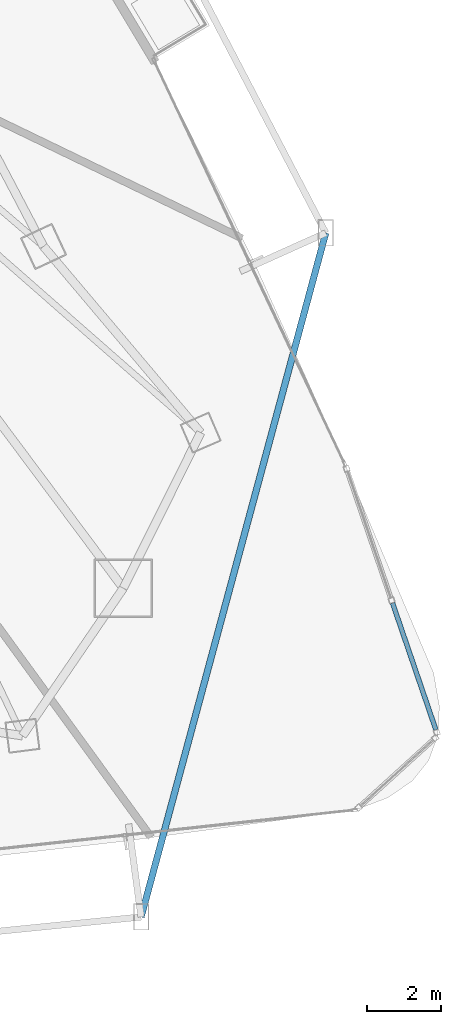
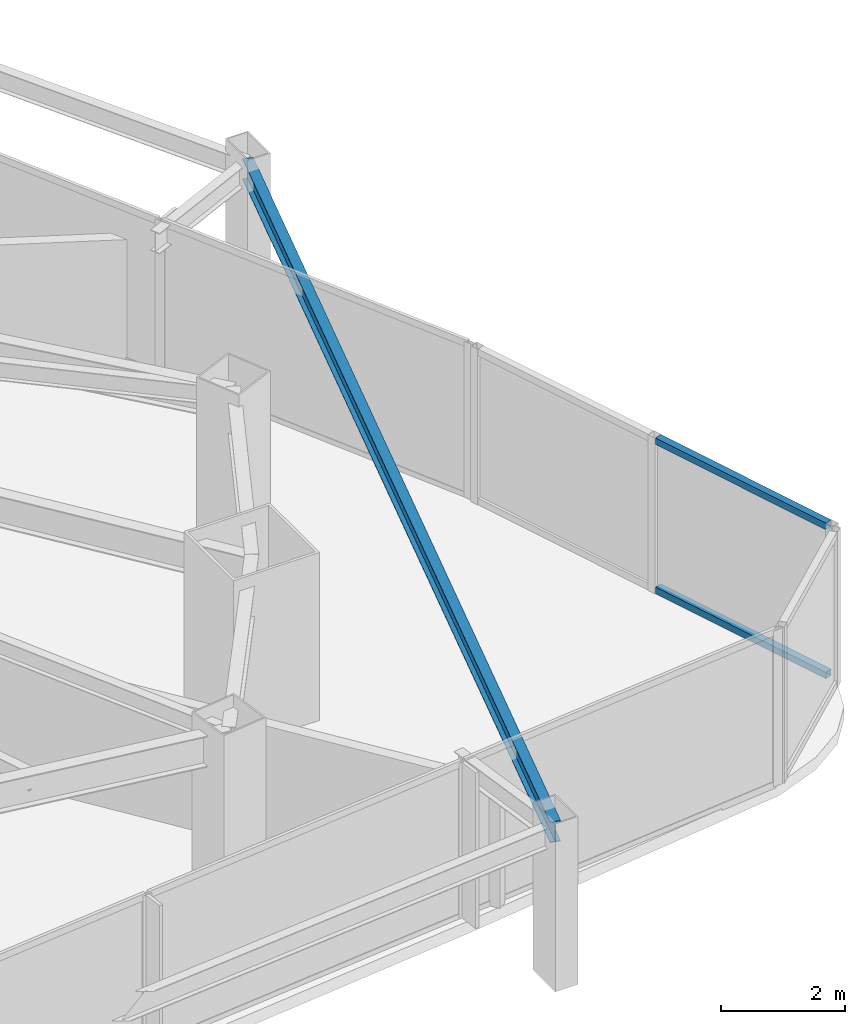
# One storey, part 16 of 33: 2 members, 1 beam, 1 element without a shape of its own.
"""IFC4 building model written with IfcOpenShell, lengths in metres."""

import ifcopenshell
import ifcopenshell.guid

model = None  # the IFC model being written
_history = None  # IfcOwnerHistory: only IFC2X3 demands one
_inside = {}  # id of a spatial element -> (the spatial element, [elements in it])
_under = {}  # id of a project, library or spatial element -> (it, [spatial elements below it])
_declared = {}  # id of a project -> (the project, [libraries it declares])
_typed = {}  # id of a type object -> (the type object, [elements of that type])
_made_of = {}  # id of a material, layer set ... -> (it, [elements and type objects made of it])


def new_model(schema):
    """Start an empty IFC model of exactly this schema.

    Asked for "IFC4X3", IfcOpenShell would pick the latest addendum, in which some entities
    have other attributes; the version numbers below select the first issue.
    IFC2X3 requires an IfcOwnerHistory on every rooted entity: one is made here for all.
    """
    global model, _history
    if schema == "IFC4X3":
        model = ifcopenshell.file(schema_version=(4, 3, 0, 0))
    else:
        model = ifcopenshell.file(schema=schema)
    _inside.clear()
    _under.clear()
    _declared.clear()
    _typed.clear()
    _made_of.clear()
    _history = None
    if model.schema == "IFC2X3":
        org = make("IfcOrganization", Name="unknown")
        user = make(
            "IfcPersonAndOrganization",
            ThePerson=make("IfcPerson", FamilyName="unknown"),
            TheOrganization=org,
        )
        app = make(
            "IfcApplication",
            ApplicationDeveloper=org,
            Version="unknown",
            ApplicationFullName="unknown",
            ApplicationIdentifier="unknown",
        )
        _history = make(
            "IfcOwnerHistory",
            OwningUser=user,
            OwningApplication=app,
            ChangeAction="ADDED",
            CreationDate=0,
        )
    return model


def make(cls, **values):
    """One entity of the class cls with the attributes given. An attribute that is None is left unset."""
    return model.create_entity(
        cls, **{name: value for name, value in values.items() if value is not None}
    )


def rooted(cls, **values):
    """An entity with a GlobalId (a new one), such as an element, a storey or a relation."""
    return make(cls, GlobalId=ifcopenshell.guid.new(), OwnerHistory=_history, **values)


def si_unit(unit_type, name, prefix=None):
    """IfcSIUnit, for example si_unit("LENGTHUNIT", "METRE", prefix="MILLI")."""
    return make("IfcSIUnit", UnitType=unit_type, Prefix=prefix, Name=name)


def assignment(units):
    """IfcUnitAssignment: the units of a project."""
    return None if units is None else make("IfcUnitAssignment", Units=units)


def point(xyz):
    """IfcCartesianPoint."""
    return None if xyz is None else make("IfcCartesianPoint", Coordinates=xyz)


def direction(xyz):
    """IfcDirection."""
    return None if xyz is None else make("IfcDirection", DirectionRatios=xyz)


def frame(location, z_axis=None, x_axis=None):
    """IfcAxis2Placement3D, a coordinate frame: its origin and axes. An axis left out is left unset."""
    return make(
        "IfcAxis2Placement3D",
        Location=point(location),
        Axis=direction(z_axis),
        RefDirection=direction(x_axis),
    )


def frame_2d(location, x_axis=None):
    """IfcAxis2Placement2D, a coordinate frame in the plane: its origin and x axis."""
    return make(
        "IfcAxis2Placement2D", Location=point(location), RefDirection=direction(x_axis)
    )


def origin():
    """The frame at (0, 0, 0) with its axes left unset."""
    return frame((0.0, 0.0, 0.0))


def origin_2d():
    """The frame at (0, 0) in the plane with its x axis left unset."""
    return frame_2d((0.0, 0.0))


def place(relative_to, where):
    """IfcLocalPlacement: puts the frame where relative to a parent placement (None: the world)."""
    return make(
        "IfcLocalPlacement", PlacementRelTo=relative_to, RelativePlacement=where
    )


def context(
    kind, dimensions, precision=None, world=None, true_north=None, identifier=None
):
    """IfcGeometricRepresentationContext, for example the 3D "Model" context."""
    return make(
        "IfcGeometricRepresentationContext",
        ContextIdentifier=identifier,
        ContextType=kind,
        CoordinateSpaceDimension=dimensions,
        Precision=precision,
        WorldCoordinateSystem=world,
        TrueNorth=true_north,
    )


def subcontext(parent, identifier, kind, view, scale=None):
    """IfcGeometricRepresentationSubContext, for example "Body" below "Model"."""
    return make(
        "IfcGeometricRepresentationSubContext",
        ContextIdentifier=identifier,
        ContextType=kind,
        ParentContext=parent,
        TargetScale=scale,
        TargetView=view,
    )


def project(units=None, contexts=None):
    """IfcProject with its units and contexts."""
    return rooted(
        "IfcProject",
        Name="project",
        RepresentationContexts=contexts,
        UnitsInContext=assignment(units),
    )


def spatial(cls, under=None, at=None, **own):
    """A site, building, storey or space (cls), placed at a placement, below another one or the project."""
    s = rooted(cls, ObjectPlacement=at, **own)
    if under is not None:
        _under.setdefault(under.id(), (under, []))[1].append(s)
    return s


def profile(cls, at=None, kind="AREA", **sizes):
    """A parametric profile (cls). Its sizes go by their IFC names, for example OverallWidth=200.0."""
    return make(cls, ProfileType=kind, Position=at, **sizes)


def hollow_rectangle(**sizes):
    """IfcRectangleHollowProfileDef."""
    return profile("IfcRectangleHollowProfileDef", **sizes)


def i_section(**sizes):
    """IfcIShapeProfileDef."""
    return profile("IfcIShapeProfileDef", **sizes)


def extrude(swept, where, along, depth):
    """IfcExtrudedAreaSolid: the profile swept, set in the frame where, extruded along a direction by depth."""
    return make(
        "IfcExtrudedAreaSolid",
        SweptArea=swept,
        Position=where,
        ExtrudedDirection=direction(along),
        Depth=depth,
    )


def shape(context_of_items, identifier, shape_type, items):
    """IfcShapeRepresentation: the items that make up one representation, for example the "Body"."""
    return make(
        "IfcShapeRepresentation",
        ContextOfItems=context_of_items,
        RepresentationIdentifier=identifier,
        RepresentationType=shape_type,
        Items=items,
    )


def material(Name=None, Category=None):
    """IfcMaterial."""
    return make("IfcMaterial", Name=Name, Category=Category)


def layer(
    of_material, thickness, ventilated=None, Name=None, Category=None, Priority=None
):
    """IfcMaterialLayer: one layer of a wall or slab, of a material (None: an air gap)."""
    return make(
        "IfcMaterialLayer",
        Material=of_material,
        LayerThickness=thickness,
        IsVentilated=ventilated,
        Name=Name,
        Category=Category,
        Priority=Priority,
    )


def layer_set(layers, Name=None):
    """IfcMaterialLayerSet."""
    return make("IfcMaterialLayerSet", MaterialLayers=layers, LayerSetName=Name)


def material_profile(
    of_material, cross_section, Name=None, Category=None, Priority=None
):
    """IfcMaterialProfile: a cross section and its material."""
    return make(
        "IfcMaterialProfile",
        Name=Name,
        Material=of_material,
        Profile=cross_section,
        Priority=Priority,
        Category=Category,
    )


def profile_set(profiles, Name=None, composite=None):
    """IfcMaterialProfileSet."""
    return make(
        "IfcMaterialProfileSet",
        Name=Name,
        MaterialProfiles=profiles,
        CompositeProfile=composite,
    )


def made_of(thing, what):
    """Note that an element or type object is made of a material, layer set ...; save() writes the relation."""
    if what is not None:
        _made_of.setdefault(what.id(), (what, []))[1].append(thing)
    return thing


def type_object(cls, material=None, **own):
    """A type object (cls), such as IfcWallType, which elements share."""
    return made_of(rooted(cls, **own), material)


def element(
    cls,
    number,
    at=None,
    inside=None,
    cuts=None,
    type_object=None,
    material=None,
    context=None,
    identifier="Body",
    shape_type=None,
    held_by="IfcProductDefinitionShape",
    body=None,
    shapes=None,
    **own,
):
    """One element of the class cls, such as IfcWall. Its Tag is "e" and its number.

    at: its placement. inside: the storey or other place that contains it. cuts: it is an
    opening in that element (IfcRelVoidsElement). A single representation is given by context,
    identifier, shape_type and body (its items); several are given by shapes. held_by: the class
    of the entity that holds the representations. save() writes the other relations.
    """
    e = rooted(cls, Tag="e%d" % number, ObjectPlacement=at, **own)
    if body is not None:
        shapes = [shape(context, identifier, shape_type, body)]
    if shapes is not None:
        e.Representation = make(held_by, Representations=shapes)
    if inside is not None:
        _inside.setdefault(inside.id(), (inside, []))[1].append(e)
    if cuts is not None:
        rooted(
            "IfcRelVoidsElement", RelatingBuildingElement=cuts, RelatedOpeningElement=e
        )
    if type_object is not None:
        _typed.setdefault(type_object.id(), (type_object, []))[1].append(e)
    return made_of(e, material)


def aggregate(whole, parts):
    """IfcRelAggregates: a whole, such as a stair, and the parts it consists of."""
    return rooted("IfcRelAggregates", RelatingObject=whole, RelatedObjects=parts)


def save(model, path):
    """Write the relations noted so far, then the file.

    IfcRelAggregates (storeys below a building ...), IfcRelContainedInSpatialStructure (elements
    in a storey), IfcRelDefinesByType, IfcRelAssociatesMaterial and IfcRelDeclares: one each for
    every whole, place, type object, material and project.
    """
    for whole, parts in _under.values():
        aggregate(whole, parts)
    for where, things in _inside.values():
        rooted(
            "IfcRelContainedInSpatialStructure",
            RelatedElements=things,
            RelatingStructure=where,
        )
    for kind, things in _typed.values():
        rooted("IfcRelDefinesByType", RelatedObjects=things, RelatingType=kind)
    for what, things in _made_of.values():
        rooted("IfcRelAssociatesMaterial", RelatedObjects=things, RelatingMaterial=what)
    for by, libraries in _declared.values():
        rooted("IfcRelDeclares", RelatingContext=by, RelatedDefinitions=libraries)
    model.write(path)


model = new_model("IFC4")

# Units and contexts
model_context = context("Model", 3, precision=1e-05, world=origin(), true_north=direction((0.0, 1.0)))
body_context = subcontext(model_context, "Body", "Model", "MODEL_VIEW")
ifc_project = project(units=[si_unit("LENGTHUNIT", "METRE"), si_unit("AREAUNIT", "SQUARE_METRE"), si_unit("VOLUMEUNIT", "CUBIC_METRE"), si_unit("PLANEANGLEUNIT", "RADIAN"), si_unit("MASSUNIT", "GRAM", prefix="KILO")], contexts=[model_context])

# Site, building, storey
site_placement = place(None, origin())
site = spatial("IfcSite", under=ifc_project, at=site_placement, CompositionType="ELEMENT")
building_placement = place(site_placement, origin())
building = spatial("IfcBuilding", under=site, at=building_placement, Name="Orvanel Arch Residences", CompositionType="ELEMENT")
storey_placement = place(building_placement, frame((0.0, 0.0, 84.050048828125)))
storey = spatial("IfcBuildingStorey", under=building, at=storey_placement, Name="L23", CompositionType="ELEMENT", Elevation=84.050048828125)

# Beam
ifc_material_1 = material(Name="Structural steel AS/NZS 3679.1 Grade 300 (300 MPa)", Category="steel")
ifc_material_profile_1 = material_profile(ifc_material_1, i_section(OverallWidth=0.177978515625, OverallDepth=0.406005859375, WebThickness=0.0078125, FlangeThickness=0.0126953125, at=origin_2d()), Name="410UB59.7")
ifc_profile_set_1 = profile_set([ifc_material_profile_1], Name="Structural steel AS/NZS 3679.1 Grade 300 (300 MPa)")
beam_type = type_object("IfcBeamType", Name="OB-410UB-EXT", PredefinedType="SPANDREL", material=ifc_profile_set_1)
beam_placement = place(storey_placement, frame((52.284912109375, 1.4130859375, 2.85693359375), z_axis=(0.260657465034, 0.965431347079, 0.0), x_axis=(-0.965431347079, 0.260657465034, 0.0)))
element("IfcBeam", 1, at=beam_placement, inside=storey, type_object=beam_type, Name="L23 Outer Perimeter Floor Ring Beam 08", PredefinedType="SPANDREL", context=body_context, shape_type="SweptSolid", body=[
    extrude(i_section(OverallWidth=0.177978515625, OverallDepth=0.406005859375, WebThickness=0.0078125, FlangeThickness=0.0126953125, at=origin_2d()), origin(), (0.0, 0.0, 1.0), 19.2626953125),
])

# Curtain wall, members
ifc_material_2 = material(Name="Bronze-anodised aluminium AA6063-T6", Category="aluminium")
ifc_layer = layer(ifc_material_2, 0.18994140625)
ifc_layer_set = layer_set([ifc_layer], Name="Bronze-anodised aluminium AA6063-T6")
curtain_wall_type = type_object("IfcCurtainWallType", Name="CW5-CRN-SYS", PredefinedType="NOTDEFINED", material=ifc_layer_set)
curtain_wall_placement = place(storey_placement, origin())
curtain_wall = element("IfcCurtainWall", 2, at=curtain_wall_placement, inside=storey, type_object=curtain_wall_type, Name="L23 CW5-CRN-SYS Unitised Curtain Wall", PredefinedType="NOTDEFINED")
ifc_material_profile_2 = material_profile(ifc_material_2, hollow_rectangle(XDim=0.1298828125, YDim=0.1298828125, WallThickness=0.00439453125, at=origin_2d()), Name="ALU130x130x4.5")
ifc_profile_set_2 = profile_set([ifc_material_profile_2], Name="Bronze-anodised aluminium AA6063-T6")
member_type = type_object("IfcMemberType", Name="TRN-130x130", PredefinedType="USERDEFINED", material=ifc_profile_set_2)
member_1_placement = place(storey_placement, frame((60.298583984375, 6.5029296875, 0.06494140625), z_axis=(-0.323442733064, 0.946247746855, 0.0), x_axis=(-0.946247746855, -0.323442733064, 0.0)))
member_1 = element("IfcMember", 3, at=member_1_placement, type_object=member_type, Name="CW-S5 transom 1.1", ObjectType="TRANSOM", PredefinedType="USERDEFINED", context=body_context, shape_type="SweptSolid", body=[
    extrude(hollow_rectangle(XDim=0.1298828125, YDim=0.1298828125, WallThickness=0.00439453125, at=origin_2d()), origin(), (0.0, 0.0, 1.0), 3.6396484375),
])
member_2_placement = place(storey_placement, frame((60.298583984375, 6.5029296875, 2.994873046875), z_axis=(-0.323442733064, 0.946247746855, 0.0), x_axis=(-0.946247746855, -0.323442733064, 0.0)))
member_2 = element("IfcMember", 4, at=member_2_placement, type_object=member_type, Name="CW-S5 transom 1.2", ObjectType="TRANSOM", PredefinedType="USERDEFINED", context=body_context, shape_type="SweptSolid", body=[
    extrude(hollow_rectangle(XDim=0.1298828125, YDim=0.1298828125, WallThickness=0.00439453125, at=origin_2d()), origin(), (0.0, 0.0, 1.0), 3.6396484375),
])
aggregate(curtain_wall, [member_1, member_2])

save(model, "model.ifc")
